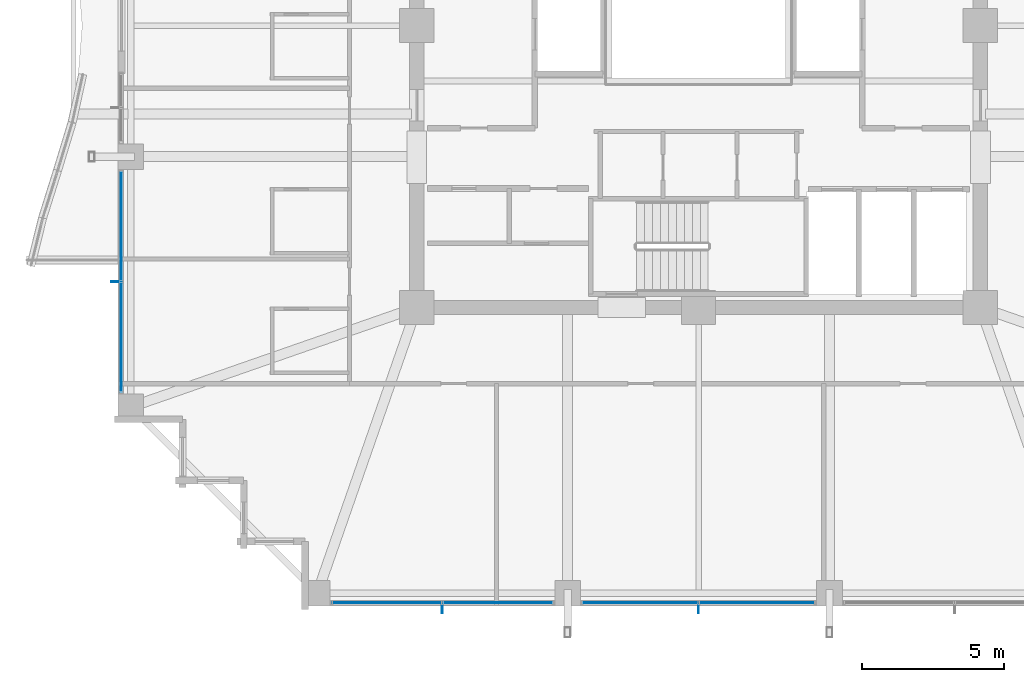
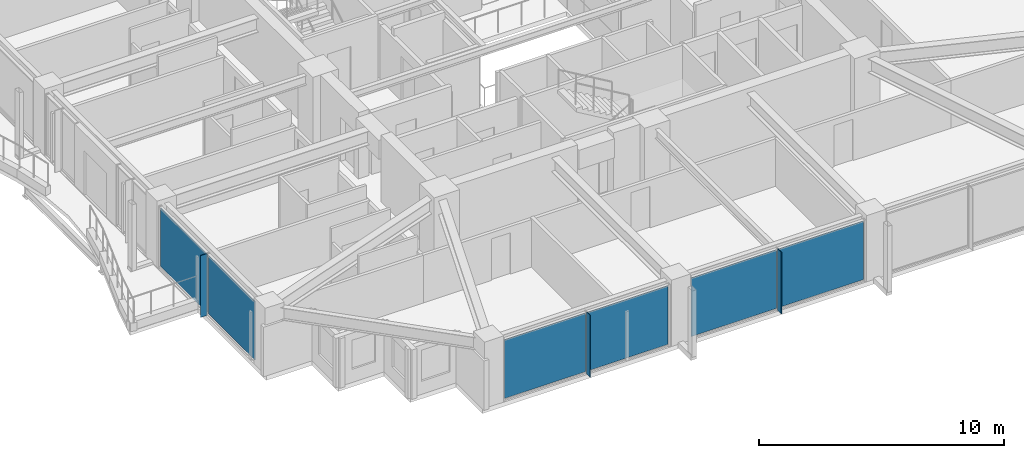
# One storey, part 22 of 35: 9 plates, 3 elements without a shape of their own.
"""IFC4 building model written with IfcOpenShell, lengths in metres."""

import ifcopenshell
import ifcopenshell.guid

model = None  # the IFC model being written
_history = None  # IfcOwnerHistory: only IFC2X3 demands one
_inside = {}  # id of a spatial element -> (the spatial element, [elements in it])
_under = {}  # id of a project, library or spatial element -> (it, [spatial elements below it])
_declared = {}  # id of a project -> (the project, [libraries it declares])
_typed = {}  # id of a type object -> (the type object, [elements of that type])
_made_of = {}  # id of a material, layer set ... -> (it, [elements and type objects made of it])


def new_model(schema):
    """Start an empty IFC model of exactly this schema.

    Asked for "IFC4X3", IfcOpenShell would pick the latest addendum, in which some entities
    have other attributes; the version numbers below select the first issue.
    IFC2X3 requires an IfcOwnerHistory on every rooted entity: one is made here for all.
    """
    global model, _history
    if schema == "IFC4X3":
        model = ifcopenshell.file(schema_version=(4, 3, 0, 0))
    else:
        model = ifcopenshell.file(schema=schema)
    _inside.clear()
    _under.clear()
    _declared.clear()
    _typed.clear()
    _made_of.clear()
    _history = None
    if model.schema == "IFC2X3":
        org = make("IfcOrganization", Name="unknown")
        user = make(
            "IfcPersonAndOrganization",
            ThePerson=make("IfcPerson", FamilyName="unknown"),
            TheOrganization=org,
        )
        app = make(
            "IfcApplication",
            ApplicationDeveloper=org,
            Version="unknown",
            ApplicationFullName="unknown",
            ApplicationIdentifier="unknown",
        )
        _history = make(
            "IfcOwnerHistory",
            OwningUser=user,
            OwningApplication=app,
            ChangeAction="ADDED",
            CreationDate=0,
        )
    return model


def make(cls, **values):
    """One entity of the class cls with the attributes given. An attribute that is None is left unset."""
    return model.create_entity(
        cls, **{name: value for name, value in values.items() if value is not None}
    )


def rooted(cls, **values):
    """An entity with a GlobalId (a new one), such as an element, a storey or a relation."""
    return make(cls, GlobalId=ifcopenshell.guid.new(), OwnerHistory=_history, **values)


def si_unit(unit_type, name, prefix=None):
    """IfcSIUnit, for example si_unit("LENGTHUNIT", "METRE", prefix="MILLI")."""
    return make("IfcSIUnit", UnitType=unit_type, Prefix=prefix, Name=name)


def assignment(units):
    """IfcUnitAssignment: the units of a project."""
    return None if units is None else make("IfcUnitAssignment", Units=units)


def point(xyz):
    """IfcCartesianPoint."""
    return None if xyz is None else make("IfcCartesianPoint", Coordinates=xyz)


def direction(xyz):
    """IfcDirection."""
    return None if xyz is None else make("IfcDirection", DirectionRatios=xyz)


def frame(location, z_axis=None, x_axis=None):
    """IfcAxis2Placement3D, a coordinate frame: its origin and axes. An axis left out is left unset."""
    return make(
        "IfcAxis2Placement3D",
        Location=point(location),
        Axis=direction(z_axis),
        RefDirection=direction(x_axis),
    )


def frame_2d(location, x_axis=None):
    """IfcAxis2Placement2D, a coordinate frame in the plane: its origin and x axis."""
    return make(
        "IfcAxis2Placement2D", Location=point(location), RefDirection=direction(x_axis)
    )


def origin():
    """The frame at (0, 0, 0) with its axes left unset."""
    return frame((0.0, 0.0, 0.0))


def origin_2d():
    """The frame at (0, 0) in the plane with its x axis left unset."""
    return frame_2d((0.0, 0.0))


def place(relative_to, where):
    """IfcLocalPlacement: puts the frame where relative to a parent placement (None: the world)."""
    return make(
        "IfcLocalPlacement", PlacementRelTo=relative_to, RelativePlacement=where
    )


def context(
    kind, dimensions, precision=None, world=None, true_north=None, identifier=None
):
    """IfcGeometricRepresentationContext, for example the 3D "Model" context."""
    return make(
        "IfcGeometricRepresentationContext",
        ContextIdentifier=identifier,
        ContextType=kind,
        CoordinateSpaceDimension=dimensions,
        Precision=precision,
        WorldCoordinateSystem=world,
        TrueNorth=true_north,
    )


def subcontext(parent, identifier, kind, view, scale=None):
    """IfcGeometricRepresentationSubContext, for example "Body" below "Model"."""
    return make(
        "IfcGeometricRepresentationSubContext",
        ContextIdentifier=identifier,
        ContextType=kind,
        ParentContext=parent,
        TargetScale=scale,
        TargetView=view,
    )


def project(units=None, contexts=None):
    """IfcProject with its units and contexts."""
    return rooted(
        "IfcProject",
        Name="project",
        RepresentationContexts=contexts,
        UnitsInContext=assignment(units),
    )


def spatial(cls, under=None, at=None, **own):
    """A site, building, storey or space (cls), placed at a placement, below another one or the project."""
    s = rooted(cls, ObjectPlacement=at, **own)
    if under is not None:
        _under.setdefault(under.id(), (under, []))[1].append(s)
    return s


def profile(cls, at=None, kind="AREA", **sizes):
    """A parametric profile (cls). Its sizes go by their IFC names, for example OverallWidth=200.0."""
    return make(cls, ProfileType=kind, Position=at, **sizes)


def rectangle(**sizes):
    """IfcRectangleProfileDef."""
    return profile("IfcRectangleProfileDef", **sizes)


def extrude(swept, where, along, depth):
    """IfcExtrudedAreaSolid: the profile swept, set in the frame where, extruded along a direction by depth."""
    return make(
        "IfcExtrudedAreaSolid",
        SweptArea=swept,
        Position=where,
        ExtrudedDirection=direction(along),
        Depth=depth,
    )


def shape(context_of_items, identifier, shape_type, items):
    """IfcShapeRepresentation: the items that make up one representation, for example the "Body"."""
    return make(
        "IfcShapeRepresentation",
        ContextOfItems=context_of_items,
        RepresentationIdentifier=identifier,
        RepresentationType=shape_type,
        Items=items,
    )


def material(Name=None, Category=None):
    """IfcMaterial."""
    return make("IfcMaterial", Name=Name, Category=Category)


def layer(
    of_material, thickness, ventilated=None, Name=None, Category=None, Priority=None
):
    """IfcMaterialLayer: one layer of a wall or slab, of a material (None: an air gap)."""
    return make(
        "IfcMaterialLayer",
        Material=of_material,
        LayerThickness=thickness,
        IsVentilated=ventilated,
        Name=Name,
        Category=Category,
        Priority=Priority,
    )


def layer_set(layers, Name=None):
    """IfcMaterialLayerSet."""
    return make("IfcMaterialLayerSet", MaterialLayers=layers, LayerSetName=Name)


def made_of(thing, what):
    """Note that an element or type object is made of a material, layer set ...; save() writes the relation."""
    if what is not None:
        _made_of.setdefault(what.id(), (what, []))[1].append(thing)
    return thing


def type_object(cls, material=None, **own):
    """A type object (cls), such as IfcWallType, which elements share."""
    return made_of(rooted(cls, **own), material)


def element(
    cls,
    number,
    at=None,
    inside=None,
    cuts=None,
    type_object=None,
    material=None,
    context=None,
    identifier="Body",
    shape_type=None,
    held_by="IfcProductDefinitionShape",
    body=None,
    shapes=None,
    **own,
):
    """One element of the class cls, such as IfcWall. Its Tag is "e" and its number.

    at: its placement. inside: the storey or other place that contains it. cuts: it is an
    opening in that element (IfcRelVoidsElement). A single representation is given by context,
    identifier, shape_type and body (its items); several are given by shapes. held_by: the class
    of the entity that holds the representations. save() writes the other relations.
    """
    e = rooted(cls, Tag="e%d" % number, ObjectPlacement=at, **own)
    if body is not None:
        shapes = [shape(context, identifier, shape_type, body)]
    if shapes is not None:
        e.Representation = make(held_by, Representations=shapes)
    if inside is not None:
        _inside.setdefault(inside.id(), (inside, []))[1].append(e)
    if cuts is not None:
        rooted(
            "IfcRelVoidsElement", RelatingBuildingElement=cuts, RelatedOpeningElement=e
        )
    if type_object is not None:
        _typed.setdefault(type_object.id(), (type_object, []))[1].append(e)
    return made_of(e, material)


def aggregate(whole, parts):
    """IfcRelAggregates: a whole, such as a stair, and the parts it consists of."""
    return rooted("IfcRelAggregates", RelatingObject=whole, RelatedObjects=parts)


def save(model, path):
    """Write the relations noted so far, then the file.

    IfcRelAggregates (storeys below a building ...), IfcRelContainedInSpatialStructure (elements
    in a storey), IfcRelDefinesByType, IfcRelAssociatesMaterial and IfcRelDeclares: one each for
    every whole, place, type object, material and project.
    """
    for whole, parts in _under.values():
        aggregate(whole, parts)
    for where, things in _inside.values():
        rooted(
            "IfcRelContainedInSpatialStructure",
            RelatedElements=things,
            RelatingStructure=where,
        )
    for kind, things in _typed.values():
        rooted("IfcRelDefinesByType", RelatedObjects=things, RelatingType=kind)
    for what, things in _made_of.values():
        rooted("IfcRelAssociatesMaterial", RelatedObjects=things, RelatingMaterial=what)
    for by, libraries in _declared.values():
        rooted("IfcRelDeclares", RelatingContext=by, RelatedDefinitions=libraries)
    model.write(path)


model = new_model("IFC4")

# Units and contexts
model_context = context("Model", 3, precision=1e-05, world=origin(), true_north=direction((0.0, 1.0)))
body_context = subcontext(model_context, "Body", "Model", "MODEL_VIEW")
ifc_project = project(units=[si_unit("LENGTHUNIT", "METRE"), si_unit("AREAUNIT", "SQUARE_METRE"), si_unit("VOLUMEUNIT", "CUBIC_METRE"), si_unit("PLANEANGLEUNIT", "RADIAN"), si_unit("MASSUNIT", "GRAM", prefix="KILO")], contexts=[model_context])

# Site, building, storey
site_placement = place(None, origin())
site = spatial("IfcSite", under=ifc_project, at=site_placement, CompositionType="ELEMENT")
building_placement = place(site_placement, origin())
building = spatial("IfcBuilding", under=site, at=building_placement, Name="Kolvaren Belvedere", CompositionType="ELEMENT")
storey_placement = place(building_placement, frame((0.0, 0.0, 183.300048828125)))
storey = spatial("IfcBuildingStorey", under=building, at=storey_placement, Name="L53", CompositionType="ELEMENT", Elevation=183.300048828125)

# Curtain wall, plates
ifc_material_1 = material(Name="Anodised pale-metal aluminium AA 6063-T6", Category="aluminium")
curtain_wall_type = type_object("IfcCurtainWallType", Name="CW-Z5-HIGH", PredefinedType="NOTDEFINED", material=ifc_material_1)
curtain_wall_1_placement = place(storey_placement, origin())
curtain_wall_1 = element("IfcCurtainWall", 1, at=curtain_wall_1_placement, inside=storey, type_object=curtain_wall_type, Name="L53 Unitised Curtain Wall FCW-L53-S-B2", PredefinedType="NOTDEFINED")
ifc_material_2 = material(Name="Low-iron triple insulated glass", Category="glass")
ifc_layer_1 = layer(ifc_material_2, 0.028076171875)
ifc_layer_set_1 = layer_set([ifc_layer_1], Name="Low-iron triple insulated glass")
plate_type_1 = type_object("IfcPlateType", Name="CW-PNL-VIS28", PredefinedType="CURTAIN_PANEL", material=ifc_layer_set_1)
plate_1_placement = place(storey_placement, frame((2.047607421875, -20.280029296875, 0.080078125), z_axis=(0.0, 0.0, 1.0), x_axis=(-1.0, 0.0, 0.0)))
plate_1 = element("IfcPlate", 2, at=plate_1_placement, type_object=plate_type_1, Name="FCW-L53-S-B2 Vision Glazing Panel 1", PredefinedType="CURTAIN_PANEL", context=body_context, shape_type="SweptSolid", body=[
    extrude(rectangle(XDim=4.014892578125, YDim=0.028076171875, at=origin_2d()), origin(), (0.0, 0.0, 1.0), 2.919921875),
])
plate_2_placement = place(storey_placement, frame((-2.047607421875, -20.280029296875, 0.080078125), z_axis=(0.0, 0.0, 1.0), x_axis=(-1.0, 0.0, 0.0)))
plate_2 = element("IfcPlate", 3, at=plate_2_placement, type_object=plate_type_1, Name="FCW-L53-S-B2 Vision Glazing Panel 2", PredefinedType="CURTAIN_PANEL", context=body_context, shape_type="SweptSolid", body=[
    extrude(rectangle(XDim=4.014892578125, YDim=0.028076171875, at=origin_2d()), origin(), (0.0, 0.0, 1.0), 2.919921875),
])
aggregate(curtain_wall_1, [plate_1, plate_2])

curtain_wall_2_placement = place(storey_placement, origin())
curtain_wall_2 = element("IfcCurtainWall", 4, at=curtain_wall_2_placement, inside=storey, type_object=curtain_wall_type, Name="L53 Unitised Curtain Wall FCW-L53-S-B3", PredefinedType="NOTDEFINED")
plate_3_placement = place(storey_placement, frame((-7.052490234375, -20.280029296875, 0.080078125), z_axis=(0.0, 0.0, 1.0), x_axis=(-1.0, 0.0, 0.0)))
plate_3 = element("IfcPlate", 5, at=plate_3_placement, type_object=plate_type_1, Name="FCW-L53-S-B3 Vision Glazing Panel 1", PredefinedType="CURTAIN_PANEL", context=body_context, shape_type="SweptSolid", body=[
    extrude(rectangle(XDim=3.81494140625, YDim=0.028076171875, at=origin_2d()), origin(), (0.0, 0.0, 1.0), 2.919921875),
])
plate_4_placement = place(storey_placement, frame((-10.947509765625, -20.280029296875, 0.080078125), z_axis=(0.0, 0.0, 1.0), x_axis=(-1.0, 0.0, 0.0)))
plate_4 = element("IfcPlate", 6, at=plate_4_placement, type_object=plate_type_1, Name="FCW-L53-S-B3 Vision Glazing Panel 2", PredefinedType="CURTAIN_PANEL", context=body_context, shape_type="SweptSolid", body=[
    extrude(rectangle(XDim=3.81494140625, YDim=0.028076171875, at=origin_2d()), origin(), (0.0, 0.0, 1.0), 2.919921875),
])
aggregate(curtain_wall_2, [plate_3, plate_4])

curtain_wall_3_placement = place(storey_placement, origin())
curtain_wall_3 = element("IfcCurtainWall", 7, at=curtain_wall_3_placement, inside=storey, type_object=curtain_wall_type, Name="L53 Unitised Curtain Wall FCW-L53-W1-B1", PredefinedType="NOTDEFINED")
plate_5_placement = place(storey_placement, frame((-20.280029296875, -10.947509765625, 0.080078125), z_axis=(0.0, 0.0, 1.0), x_axis=(0.0, 1.0, 0.0)))
plate_5 = element("IfcPlate", 8, at=plate_5_placement, type_object=plate_type_1, Name="FCW-L53-W1-B1 Vision Glazing Panel 1", PredefinedType="CURTAIN_PANEL", context=body_context, shape_type="SweptSolid", body=[
    extrude(rectangle(XDim=3.81494140625, YDim=0.028076171875, at=origin_2d()), origin(), (0.0, 0.0, 1.0), 2.919921875),
])
plate_6_placement = place(storey_placement, frame((-20.280029296875, -7.052490234375, 0.080078125), z_axis=(0.0, 0.0, 1.0), x_axis=(0.0, 1.0, 0.0)))
plate_6 = element("IfcPlate", 9, at=plate_6_placement, type_object=plate_type_1, Name="FCW-L53-W1-B1 Vision Glazing Panel 2", PredefinedType="CURTAIN_PANEL", context=body_context, shape_type="SweptSolid", body=[
    extrude(rectangle(XDim=3.81494140625, YDim=0.028076171875, at=origin_2d()), origin(), (0.0, 0.0, 1.0), 2.919921875),
])
aggregate(curtain_wall_3, [plate_5, plate_6])

# Plates
ifc_material_3 = material(Name="Anodised pale-metal aluminium AA 6063-T6", Category="aluminium")
ifc_layer_2 = layer(ifc_material_3, 0.030029296875)
ifc_layer_set_2 = layer_set([ifc_layer_2], Name="Anodised pale-metal aluminium AA 6063-T6")
plate_type_2 = type_object("IfcPlateType", Name="FIN-VERT-300", PredefinedType="USERDEFINED", material=ifc_layer_set_2)
for number, where, z_axis, x_axis, name in (
    (10, (0.0, -20.489990234375, 0.0), (0.0, 0.0, 1.0), (0.0, 1.0, 0.0), "L53 Pale-Metal Vertical Shading Fin FCW-L53-S-B2-1"),
    (11, (-9.0, -20.489990234375, 0.0), (0.0, 0.0, 1.0), (0.0, 1.0, 0.0), "L53 Pale-Metal Vertical Shading Fin FCW-L53-S-B3-1"),
    (12, (-20.489990234375, -9.0, 0.0), (0.0, 0.0, 1.0), (1.0, 0.0, 0.0), "L53 Pale-Metal Vertical Shading Fin FCW-L53-W1-B1-1"),
):
    element("IfcPlate", number, at=place(storey_placement, frame(where, z_axis=z_axis, x_axis=x_axis)), inside=storey, type_object=plate_type_2, Name=name, ObjectType="VERTICAL FIN", PredefinedType="USERDEFINED", context=body_context, shape_type="SweptSolid", body=[
        extrude(rectangle(XDim=0.300048828125, YDim=0.030029296875, at=origin_2d()), origin(), (0.0, 0.0, 1.0), 3.080078125),
    ])

save(model, "model.ifc")
